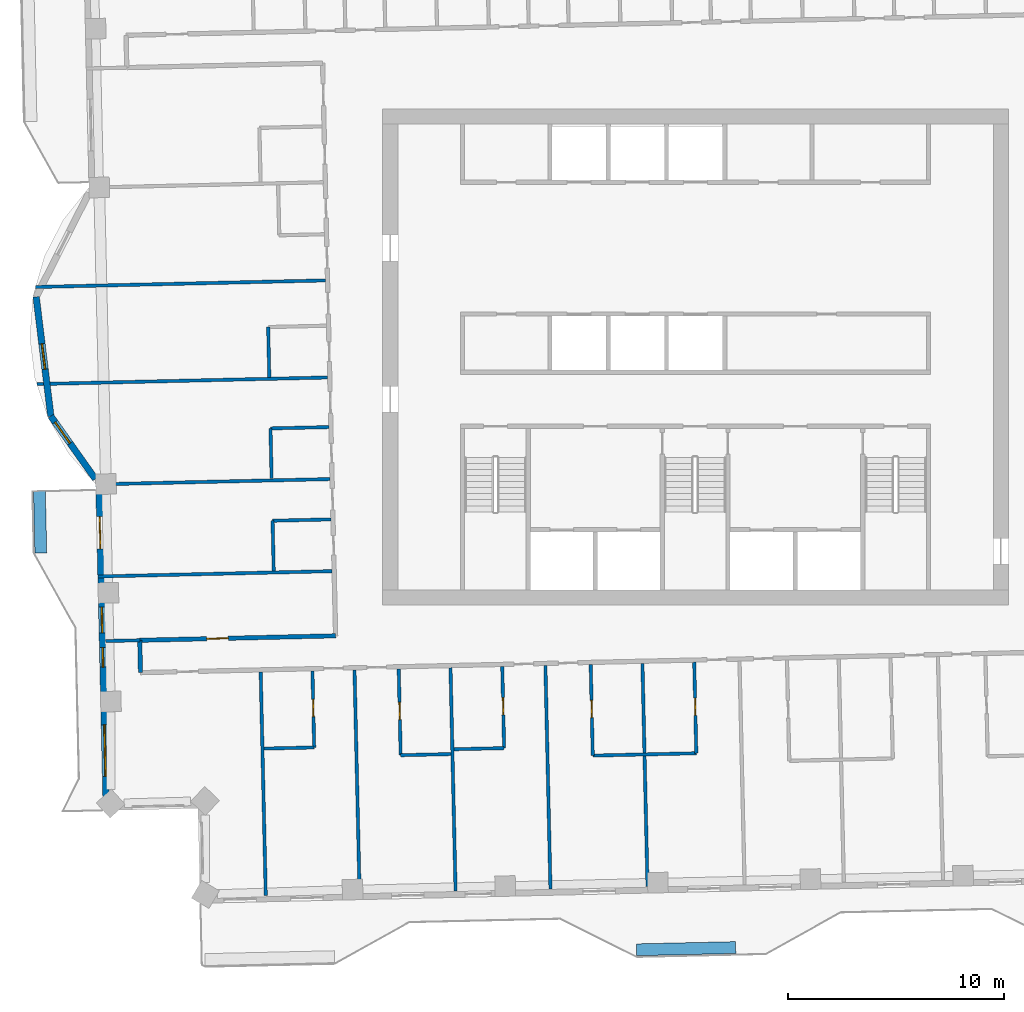
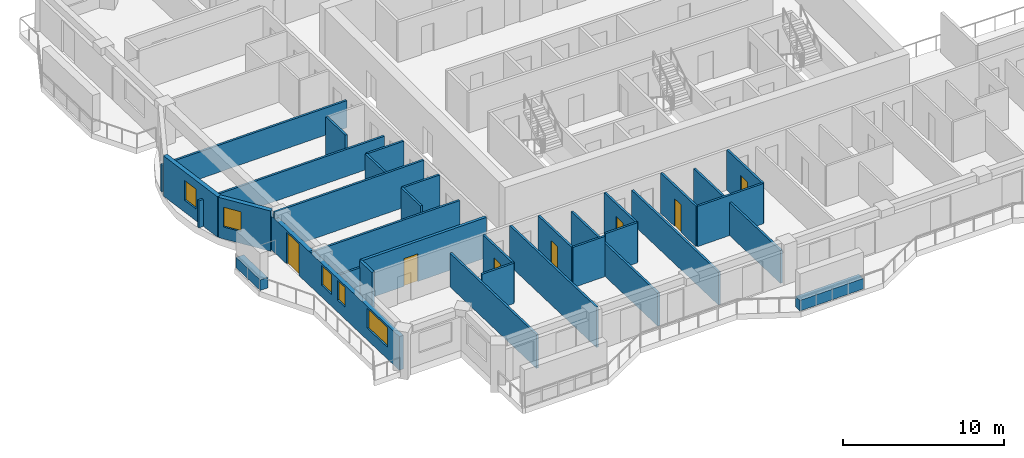
# One storey, part 8 of 19: 31 walls, 7 doors, 5 windows, 12 openings.
"""IFC4 building model written with IfcOpenShell, lengths in metres."""

from ifc_helpers import new_model, si_unit, direction, frame, frame_2d, origin, place, context, subcontext, project, spatial, rectangle, extrude, material, layer, layer_set, type_object, element, fill, save


model = new_model("IFC4")

# Units and contexts
model_context = context("Model", 3, precision=1e-05, world=origin(), true_north=direction((0.0, 1.0)))
body_context = subcontext(model_context, "Body", "Model", "MODEL_VIEW")
ifc_project = project(units=[si_unit("LENGTHUNIT", "METRE"), si_unit("AREAUNIT", "SQUARE_METRE"), si_unit("VOLUMEUNIT", "CUBIC_METRE"), si_unit("PLANEANGLEUNIT", "RADIAN"), si_unit("MASSUNIT", "GRAM", prefix="KILO")], contexts=[model_context])

# Site, building, storey
site_placement = place(None, origin())
site = spatial("IfcSite", under=ifc_project, at=site_placement, CompositionType="ELEMENT")
building_placement = place(site_placement, origin())
building = spatial("IfcBuilding", under=site, at=building_placement, Name="Mangrove Gate Tower", CompositionType="ELEMENT")
storey_placement = place(building_placement, frame((0.0, 0.0, 297.89990234375)))
storey = spatial("IfcBuildingStorey", under=building, at=storey_placement, Name="L76", CompositionType="ELEMENT", Elevation=297.89990234375)

# Wall
ifc_material_1 = material(Name="Gypsum board on steel stud, EI 60", Category="steel")
ifc_layer_1 = layer(ifc_material_1, 0.199951171875)
ifc_layer_set_1 = layer_set([ifc_layer_1], Name="Corridor wall EI 60")
wall_type_1 = type_object("IfcWallType", Name="Corridor wall EI 60", PredefinedType="PARTITIONING", material=ifc_layer_set_1)
wall_1_placement = place(storey_placement, frame((-25.72802734375, -14.6240234375, 0.0), z_axis=(0.0, 0.0, 1.0), x_axis=(-0.022632637625, 0.99974384905, 0.0)))
element("IfcWall", 1, at=wall_1_placement, inside=storey, type_object=wall_type_1, Name="WALL-L76-030", PredefinedType="PARTITIONING", context=body_context, shape_type="SweptSolid", body=[
    extrude(rectangle(XDim=1.49951171875, YDim=0.199951171875, at=frame_2d((0.749755859375, 0.0))), origin(), (0.0, 0.0, 1.0), 3.050048828125),
])

# Wall, opening, door
wall_2_placement = place(storey_placement, frame((-25.764892578125, -13.125, 0.0), z_axis=(0.0, 0.0, 1.0), x_axis=(0.999740502457, 0.022779985654, 0.0)))
wall_2 = element("IfcWall", 2, at=wall_2_placement, inside=storey, type_object=wall_type_1, Name="WALL-L76-033", PredefinedType="PARTITIONING", context=body_context, shape_type="SweptSolid", body=[
    extrude(rectangle(XDim=9.08837890625, YDim=0.199951171875, at=frame_2d((4.544189453125, 0.0))), origin(), (0.0, 0.0, 1.0), 3.050048828125),
])
opening_1_placement = place(wall_2_placement, frame((3.10693359375, 0.0, 0.0)))
opening_1 = element("IfcOpeningElement", 3, at=opening_1_placement, cuts=wall_2, Name="Opening AD", PredefinedType="OPENING", context=body_context, shape_type="SweptSolid", body=[
    extrude(rectangle(XDim=1.0, YDim=2.10009765625, at=frame_2d((0.5, 1.050048828125))), frame((0.0, 0.10986328125, 0.0), z_axis=(0.0, -1.0, 0.0), x_axis=(1.0, 0.0, 0.0)), (0.0, 0.0, 1.0), 0.219970703125),
])
ifc_material_2 = material(Name="Timber door leaf", Category="wood")
door_type_1 = type_object("IfcDoorType", Name="Amenity door 1000", OperationType="SINGLE_SWING_LEFT", PredefinedType="DOOR", material=ifc_material_2)
door_1_placement = place(opening_1_placement, origin())
door_1 = element("IfcDoor", 4, at=door_1_placement, inside=storey, type_object=door_type_1, Name="DOOR-L76-STU-c5b", OperationType="SINGLE_SWING_RIGHT", OverallHeight=2.10009765625, OverallWidth=1.0, PredefinedType="DOOR", context=body_context, shape_type="SweptSolid", body=[
    extrude(rectangle(XDim=1.0, YDim=2.10009765625, at=frame_2d((0.5, 1.050048828125))), frame((0.0, 0.02490234375, 0.0), z_axis=(0.0, -1.0, 0.0), x_axis=(1.0, 0.0, 0.0)), (0.0, 0.0, 1.0), 0.050048828125),
])
fill(opening_1, door_1)

# Wall, opening, window
ifc_material_3 = material(Name="Limestone", Category="masonry")
ifc_layer_2 = layer(ifc_material_3, 0.0400390625, Name="Limestone cladding")
ifc_material_4 = material(Name="Ventilated air gap")
ifc_layer_3 = layer(ifc_material_4, 0.0400390625, Name="Ventilated cavity")
ifc_material_5 = material(Name="Mineral wool insulation")
ifc_layer_4 = layer(ifc_material_5, 0.06005859375, Name="Insulation")
ifc_material_6 = material(Name="Breather membrane")
ifc_layer_5 = layer(ifc_material_6, 0.001953125, Name="Breather membrane")
ifc_material_7 = material(Name="Concrete C20/25 blockwork", Category="masonry")
ifc_layer_6 = layer(ifc_material_7, 0.14990234375, Name="Blockwork backing wall")
ifc_material_8 = material(Name="Gypsum plaster")
ifc_layer_7 = layer(ifc_material_8, 0.008056640625, Name="Internal plaster")
ifc_layer_set_2 = layer_set([ifc_layer_2, ifc_layer_3, ifc_layer_4, ifc_layer_5, ifc_layer_6, ifc_layer_7], Name="External wall 300 limestone cladding")
wall_type_2 = type_object("IfcWallType", Name="External wall 300 limestone cladding", PredefinedType="SOLIDWALL", material=ifc_layer_set_2)
wall_3_placement = place(storey_placement, frame((-30.56396484375, 2.7939453125, 0.0), z_axis=(0.0, 0.0, 1.0), x_axis=(0.122163831021, -0.992509948761, 0.0)))
wall_3 = element("IfcWall", 5, at=wall_3_placement, inside=storey, type_object=wall_type_2, Name="WALL-L76-W9f2", PredefinedType="SOLIDWALL", context=body_context, shape_type="SweptSolid", body=[
    extrude(rectangle(XDim=5.57373046875, YDim=0.300048828125, at=frame_2d((2.786865234375, 0.0))), origin(), (0.0, 0.0, 1.0), 3.050048828125),
])
opening_2_placement = place(wall_3_placement, frame((2.18701171875, 0.0, 0.89990234375)))
opening_2 = element("IfcOpeningElement", 6, at=opening_2_placement, cuts=wall_3, Name="Opening W1", PredefinedType="OPENING", context=body_context, shape_type="SweptSolid", body=[
    extrude(rectangle(XDim=1.199951171875, YDim=1.5, at=frame_2d((0.60009765625, 0.75))), frame((0.0, 0.159912109375, 0.0), z_axis=(0.0, -1.0, 0.0), x_axis=(1.0, 0.0, 0.0)), (0.0, 0.0, 1.0), 0.320068359375),
])
ifc_material_9 = material(Name="Aluminium frame with double-glazed low-e glass", Category="aluminium")
window_type_1 = type_object("IfcWindowType", Name="Side lite 1200x1500", PartitioningType="SINGLE_PANEL", PredefinedType="WINDOW", material=ifc_material_9)
window_1_placement = place(opening_2_placement, origin())
window_1 = element("IfcWindow", 7, at=window_1_placement, inside=storey, type_object=window_type_1, Name="WIN-L76-W9f2", OverallHeight=1.5, OverallWidth=1.199951171875, PartitioningType="SINGLE_PANEL", PredefinedType="WINDOW", context=body_context, shape_type="SweptSolid", body=[
    extrude(rectangle(XDim=1.199951171875, YDim=1.5, at=frame_2d((0.60009765625, 0.75))), frame((0.0, 0.030029296875, 0.0), z_axis=(0.0, -1.0, 0.0), x_axis=(1.0, 0.0, 0.0)), (0.0, 0.0, 1.0), 0.06005859375),
])
fill(opening_2, window_1)

wall_4_placement = place(storey_placement, frame((-29.883056640625, -2.738037109375, 0.0), z_axis=(0.0, 0.0, 1.0), x_axis=(0.578095163598, -0.815969351033, 0.0)))
wall_4 = element("IfcWall", 8, at=wall_4_placement, inside=storey, type_object=wall_type_2, Name="WALL-L76-W9f3", PredefinedType="SOLIDWALL", context=body_context, shape_type="SweptSolid", body=[
    extrude(rectangle(XDim=3.568603515625, YDim=0.300048828125, at=frame_2d((1.7841796875, 0.0))), origin(), (0.0, 0.0, 1.0), 3.050048828125),
])
opening_3_placement = place(wall_4_placement, frame((0.337890625, 0.0, 0.89990234375)))
opening_3 = element("IfcOpeningElement", 9, at=opening_3_placement, cuts=wall_4, Name="Opening W1", PredefinedType="OPENING", context=body_context, shape_type="SweptSolid", body=[
    extrude(rectangle(XDim=1.199951171875, YDim=1.5, at=frame_2d((0.60009765625, 0.75))), frame((0.0, 0.159912109375, 0.0), z_axis=(0.0, -1.0, 0.0), x_axis=(1.0, 0.0, 0.0)), (0.0, 0.0, 1.0), 0.320068359375),
])
window_2_placement = place(opening_3_placement, origin())
window_2 = element("IfcWindow", 10, at=window_2_placement, inside=storey, type_object=window_type_1, Name="WIN-L76-W9f3", OverallHeight=1.5, OverallWidth=1.199951171875, PartitioningType="SINGLE_PANEL", PredefinedType="WINDOW", context=body_context, shape_type="SweptSolid", body=[
    extrude(rectangle(XDim=1.199951171875, YDim=1.5, at=frame_2d((0.60009765625, 0.75))), frame((0.0, 0.030029296875, 0.0), z_axis=(0.0, -1.0, 0.0), x_axis=(1.0, 0.0, 0.0)), (0.0, 0.0, 1.0), 0.06005859375),
])
fill(opening_3, window_2)

# Wall, openings, door, windows
wall_5_placement = place(storey_placement, frame((-27.6650390625, -5.416015625, 0.0), z_axis=(0.0, 0.0, 1.0), x_axis=(0.022660024814, -0.999743228672, 0.0)))
wall_5 = element("IfcWall", 11, at=wall_5_placement, inside=storey, type_object=wall_type_2, Name="WALL-L76-W10s1", PredefinedType="SOLIDWALL", context=body_context, shape_type="SweptSolid", body=[
    extrude(rectangle(XDim=15.449951171875, YDim=0.300048828125, at=frame_2d((7.72509765625, 0.0))), origin(), (0.0, 0.0, 1.0), 2.550048828125),
])
opening_4_placement = place(wall_5_placement, frame((1.97509765625, 0.0, 0.0)))
opening_4 = element("IfcOpeningElement", 12, at=opening_4_placement, cuts=wall_5, Name="Opening BD1", PredefinedType="OPENING", context=body_context, shape_type="SweptSolid", body=[
    extrude(rectangle(XDim=1.5, YDim=2.39990234375, at=frame_2d((0.75, 1.199951171875))), frame((0.0, 0.159912109375, 0.0), z_axis=(0.0, -1.0, 0.0), x_axis=(1.0, 0.0, 0.0)), (0.0, 0.0, 1.0), 0.320068359375),
])
opening_5_placement = place(wall_5_placement, frame((6.1708984375, 0.0, 0.89990234375)))
opening_5 = element("IfcOpeningElement", 13, at=opening_5_placement, cuts=wall_5, Name="Opening W1", PredefinedType="OPENING", context=body_context, shape_type="SweptSolid", body=[
    extrude(rectangle(XDim=1.199951171875, YDim=1.5, at=frame_2d((0.60009765625, 0.75))), frame((0.0, 0.159912109375, 0.0), z_axis=(0.0, -1.0, 0.0), x_axis=(1.0, 0.0, 0.0)), (0.0, 0.0, 1.0), 0.320068359375),
])
opening_6_placement = place(wall_5_placement, frame((8.050048828125, 0.0, 0.89990234375)))
opening_6 = element("IfcOpeningElement", 14, at=opening_6_placement, cuts=wall_5, Name="Opening W5", PredefinedType="OPENING", context=body_context, shape_type="SweptSolid", body=[
    extrude(rectangle(XDim=0.89990234375, YDim=1.5, at=frame_2d((0.449951171875, 0.75))), frame((0.0, 0.159912109375, 0.0), z_axis=(0.0, -1.0, 0.0), x_axis=(1.0, 0.0, 0.0)), (0.0, 0.0, 1.0), 0.320068359375),
])
opening_7_placement = place(wall_5_placement, frame((11.625, 0.0, 0.89990234375)))
opening_7 = element("IfcOpeningElement", 15, at=opening_7_placement, cuts=wall_5, Name="Opening W2", PredefinedType="OPENING", context=body_context, shape_type="SweptSolid", body=[
    extrude(rectangle(XDim=2.39990234375, YDim=1.5, at=frame_2d((1.199951171875, 0.75))), frame((0.0, 0.159912109375, 0.0), z_axis=(0.0, -1.0, 0.0), x_axis=(1.0, 0.0, 0.0)), (0.0, 0.0, 1.0), 0.320068359375),
])
ifc_material_10 = material(Name="Aluminium frame with laminated clear glass", Category="aluminium")
door_type_2 = type_object("IfcDoorType", Name="Balcony sliding door 1500x2400", OperationType="SLIDING_TO_LEFT", PredefinedType="DOOR", material=ifc_material_10)
door_2_placement = place(opening_4_placement, origin())
door_2 = element("IfcDoor", 16, at=door_2_placement, inside=storey, type_object=door_type_2, Name="DOOR-L76-W10-1", OperationType="SLIDING_TO_LEFT", OverallHeight=2.39990234375, OverallWidth=1.5, PredefinedType="DOOR", context=body_context, shape_type="SweptSolid", body=[
    extrude(rectangle(XDim=1.5, YDim=2.39990234375, at=frame_2d((0.75, 1.199951171875))), frame((0.0, 0.02490234375, 0.0), z_axis=(0.0, -1.0, 0.0), x_axis=(1.0, 0.0, 0.0)), (0.0, 0.0, 1.0), 0.050048828125),
])
fill(opening_4, door_2)
ifc_material_11 = material(Name="Aluminium frame with double-glazed low-e glass", Category="aluminium")
window_type_2 = type_object("IfcWindowType", Name="Corner room window 2400x1500", PartitioningType="DOUBLE_PANEL_VERTICAL", PredefinedType="WINDOW", material=ifc_material_11)
window_3_placement = place(opening_7_placement, origin())
window_3 = element("IfcWindow", 17, at=window_3_placement, inside=storey, type_object=window_type_2, Name="WIN-L76-W10-4", OverallHeight=1.5, OverallWidth=2.39990234375, PartitioningType="DOUBLE_PANEL_VERTICAL", PredefinedType="WINDOW", context=body_context, shape_type="SweptSolid", body=[
    extrude(rectangle(XDim=2.39990234375, YDim=1.5, at=frame_2d((1.199951171875, 0.75))), frame((0.0, 0.030029296875, 0.0), z_axis=(0.0, -1.0, 0.0), x_axis=(1.0, 0.0, 0.0)), (0.0, 0.0, 1.0), 0.06005859375),
])
fill(opening_7, window_3)
ifc_material_12 = material(Name="Aluminium frame with double-glazed low-e glass", Category="aluminium")
window_type_3 = type_object("IfcWindowType", Name="Narrow window 900x1500", PartitioningType="SINGLE_PANEL", PredefinedType="WINDOW", material=ifc_material_12)
window_4_placement = place(opening_6_placement, origin())
window_4 = element("IfcWindow", 18, at=window_4_placement, inside=storey, type_object=window_type_3, Name="WIN-L76-W10-3", OverallHeight=1.5, OverallWidth=0.89990234375, PartitioningType="SINGLE_PANEL", PredefinedType="WINDOW", context=body_context, shape_type="SweptSolid", body=[
    extrude(rectangle(XDim=0.89990234375, YDim=1.5, at=frame_2d((0.449951171875, 0.75))), frame((0.0, 0.030029296875, 0.0), z_axis=(0.0, -1.0, 0.0), x_axis=(1.0, 0.0, 0.0)), (0.0, 0.0, 1.0), 0.06005859375),
])
fill(opening_6, window_4)
window_5_placement = place(opening_5_placement, origin())
window_5 = element("IfcWindow", 19, at=window_5_placement, inside=storey, type_object=window_type_1, Name="WIN-L76-W10-2", OverallHeight=1.5, OverallWidth=1.199951171875, PartitioningType="SINGLE_PANEL", PredefinedType="WINDOW", context=body_context, shape_type="SweptSolid", body=[
    extrude(rectangle(XDim=1.199951171875, YDim=1.5, at=frame_2d((0.60009765625, 0.75))), frame((0.0, 0.030029296875, 0.0), z_axis=(0.0, -1.0, 0.0), x_axis=(1.0, 0.0, 0.0)), (0.0, 0.0, 1.0), 0.06005859375),
])
fill(opening_5, window_5)

# Walls
ifc_material_13 = material(Name="Gypsum board on steel stud, EI 60", Category="steel")
ifc_layer_8 = layer(ifc_material_13, 0.14990234375)
ifc_layer_set_3 = layer_set([ifc_layer_8], Name="Party wall 150 EI 60")
wall_type_3 = type_object("IfcWallType", Name="Party wall 150 EI 60", PredefinedType="PARTITIONING", material=ifc_layer_set_3)
wall_6_placement = place(storey_placement, frame((-19.922119140625, -24.945068359375, 0.0), z_axis=(0.0, 0.0, 1.0), x_axis=(-0.022692470342, 0.99974249274, 0.0)))
element("IfcWall", 20, at=wall_6_placement, inside=storey, type_object=wall_type_3, Name="WALL-L76-001", PredefinedType="PARTITIONING", context=body_context, shape_type="SweptSolid", body=[
    extrude(rectangle(XDim=10.349853515625, YDim=0.14990234375, at=frame_2d((5.1748046875, 0.0))), origin(), (0.0, 0.0, 1.0), 2.550048828125),
])
wall_7_placement = place(storey_placement, frame((-15.572998046875, -24.846923828125, 0.0), z_axis=(0.0, 0.0, 1.0), x_axis=(-0.022714440015, 0.999741993824, 0.0)))
element("IfcWall", 21, at=wall_7_placement, inside=storey, type_object=wall_type_3, Name="WALL-L76-002", PredefinedType="PARTITIONING", context=body_context, shape_type="SweptSolid", body=[
    extrude(rectangle(XDim=10.3505859375, YDim=0.14990234375, at=frame_2d((5.17529296875, 0.0))), origin(), (0.0, 0.0, 1.0), 3.050048828125),
])
wall_8_placement = place(storey_placement, frame((-11.1240234375, -24.74609375, 0.0), z_axis=(0.0, 0.0, 1.0), x_axis=(-0.022690329938, 0.999742541321, 0.0)))
element("IfcWall", 22, at=wall_8_placement, inside=storey, type_object=wall_type_3, Name="WALL-L76-003", PredefinedType="PARTITIONING", context=body_context, shape_type="SweptSolid", body=[
    extrude(rectangle(XDim=10.350830078125, YDim=0.14990234375, at=frame_2d((5.17529296875, 0.0))), origin(), (0.0, 0.0, 1.0), 2.5),
])
for number, where, z_axis, x_axis, name in (
    (23, (-6.72607421875, -24.64599609375, 0.0), (0.0, 0.0, 1.0), (-0.022596564565, 0.999744665037, 0.0), "WALL-L76-004"),
    (24, (-2.22705078125, -24.5439453125, 0.0), (0.0, 0.0, 1.0), (-0.022690865001, 0.999742529177, 0.0), "WALL-L76-005"),
):
    element("IfcWall", number, at=place(storey_placement, frame(where, z_axis=z_axis, x_axis=x_axis)), inside=storey, type_object=wall_type_3, Name=name, PredefinedType="PARTITIONING", context=body_context, shape_type="SweptSolid", body=[
        extrude(rectangle(XDim=10.3505859375, YDim=0.14990234375, at=frame_2d((5.17529296875, 0.0))), origin(), (0.0, 0.0, 1.0), 2.5),
    ])

# Wall, opening, door
wall_9_placement = place(storey_placement, frame((-4.764892578125, -18.469970703125, 0.0), z_axis=(0.0, 0.0, 1.0), x_axis=(-0.022793682944, 0.999740190258, 0.0)))
wall_9 = element("IfcWall", 25, at=wall_9_placement, inside=storey, type_object=wall_type_3, Name="WALL-L76-016", PredefinedType="PARTITIONING", context=body_context, shape_type="SweptSolid", body=[
    extrude(rectangle(XDim=4.219970703125, YDim=0.14990234375, at=frame_2d((2.10986328125, 0.0))), origin(), (0.0, 0.0, 1.0), 3.050048828125),
])
opening_8_placement = place(wall_9_placement, frame((1.760009765625, 0.0, 0.0)))
opening_8 = element("IfcOpeningElement", 26, at=opening_8_placement, cuts=wall_9, Name="Opening ED", PredefinedType="OPENING", context=body_context, shape_type="SweptSolid", body=[
    extrude(rectangle(XDim=0.800048828125, YDim=2.10009765625, at=frame_2d((0.39990234375, 1.050048828125))), frame((0.0, 0.0849609375, 0.0), z_axis=(0.0, -1.0, 0.0), x_axis=(1.0, 0.0, 0.0)), (0.0, 0.0, 1.0), 0.169921875),
])
ifc_material_14 = material(Name="Timber door leaf", Category="wood")
door_type_3 = type_object("IfcDoorType", Name="En-suite door 800", OperationType="SINGLE_SWING_LEFT", PredefinedType="DOOR", material=ifc_material_14)
door_3_placement = place(opening_8_placement, origin())
door_3 = element("IfcDoor", 27, at=door_3_placement, inside=storey, type_object=door_type_3, Name="DOOR-L76-ENS-c104", OperationType="SINGLE_SWING_RIGHT", OverallHeight=2.10009765625, OverallWidth=0.800048828125, PredefinedType="DOOR", context=body_context, shape_type="SweptSolid", body=[
    extrude(rectangle(XDim=0.800048828125, YDim=2.10009765625, at=frame_2d((0.39990234375, 1.050048828125))), frame((0.0, 0.02490234375, 0.0), z_axis=(0.0, -1.0, 0.0), x_axis=(1.0, 0.0, 0.0)), (0.0, 0.0, 1.0), 0.050048828125),
])
fill(opening_8, door_3)

# Wall
wall_10_placement = place(storey_placement, frame((-4.762939453125, -18.469970703125, 0.0), z_axis=(0.0, 0.0, 1.0), x_axis=(0.999742675121, 0.022684433919, 0.0)))
element("IfcWall", 28, at=wall_10_placement, inside=storey, type_object=wall_type_3, Name="WALL-L76-017", PredefinedType="PARTITIONING", context=body_context, shape_type="SweptSolid", body=[
    extrude(rectangle(XDim=4.800048828125, YDim=0.14990234375, at=frame_2d((2.39990234375, 0.0))), origin(), (0.0, 0.0, 1.0), 3.050048828125),
])

# Wall, opening, door
wall_11_placement = place(storey_placement, frame((0.033935546875, -18.361083984375, 0.0), z_axis=(0.0, 0.0, 1.0), x_axis=(-0.0227358609, 0.999741506905, 0.0)))
wall_11 = element("IfcWall", 29, at=wall_11_placement, inside=storey, type_object=wall_type_3, Name="WALL-L76-018", PredefinedType="PARTITIONING", context=body_context, shape_type="SweptSolid", body=[
    extrude(rectangle(XDim=4.219970703125, YDim=0.14990234375, at=frame_2d((2.10986328125, 0.0))), origin(), (0.0, 0.0, 1.0), 3.050048828125),
])
opening_9_placement = place(wall_11_placement, frame((1.760009765625, 0.0, 0.0)))
opening_9 = element("IfcOpeningElement", 30, at=opening_9_placement, cuts=wall_11, Name="Opening ED", PredefinedType="OPENING", context=body_context, shape_type="SweptSolid", body=[
    extrude(rectangle(XDim=0.800048828125, YDim=2.10009765625, at=frame_2d((0.39990234375, 1.050048828125))), frame((0.0, 0.0849609375, 0.0), z_axis=(0.0, -1.0, 0.0), x_axis=(1.0, 0.0, 0.0)), (0.0, 0.0, 1.0), 0.169921875),
])
door_4_placement = place(opening_9_placement, origin())
door_4 = element("IfcDoor", 31, at=door_4_placement, inside=storey, type_object=door_type_3, Name="DOOR-L76-ENS-c205", OperationType="SINGLE_SWING_LEFT", OverallHeight=2.10009765625, OverallWidth=0.800048828125, PredefinedType="DOOR", context=body_context, shape_type="SweptSolid", body=[
    extrude(rectangle(XDim=0.800048828125, YDim=2.10009765625, at=frame_2d((0.39990234375, 1.050048828125))), frame((0.0, 0.02490234375, 0.0), z_axis=(0.0, -1.0, 0.0), x_axis=(1.0, 0.0, 0.0)), (0.0, 0.0, 1.0), 0.050048828125),
])
fill(opening_9, door_4)

wall_12_placement = place(storey_placement, frame((-13.66796875, -18.451904296875, 0.0), z_axis=(0.0, 0.0, 1.0), x_axis=(-0.022765770952, 0.999740826251, 0.0)))
wall_12 = element("IfcWall", 32, at=wall_12_placement, inside=storey, type_object=wall_type_3, Name="WALL-L76-019", PredefinedType="PARTITIONING", context=body_context, shape_type="SweptSolid", body=[
    extrude(rectangle(XDim=4.0, YDim=0.14990234375, at=frame_2d((2.0, 0.0))), origin(), (0.0, 0.0, 1.0), 3.050048828125),
])
opening_10_placement = place(wall_12_placement, frame((1.64990234375, 0.0, 0.0)))
opening_10 = element("IfcOpeningElement", 33, at=opening_10_placement, cuts=wall_12, Name="Opening ED", PredefinedType="OPENING", context=body_context, shape_type="SweptSolid", body=[
    extrude(rectangle(XDim=0.800048828125, YDim=2.10009765625, at=frame_2d((0.39990234375, 1.050048828125))), frame((0.0, 0.0849609375, 0.0), z_axis=(0.0, -1.0, 0.0), x_axis=(1.0, 0.0, 0.0)), (0.0, 0.0, 1.0), 0.169921875),
])
door_5_placement = place(opening_10_placement, origin())
door_5 = element("IfcDoor", 34, at=door_5_placement, inside=storey, type_object=door_type_3, Name="DOOR-L76-ENS-c102", OperationType="SINGLE_SWING_RIGHT", OverallHeight=2.10009765625, OverallWidth=0.800048828125, PredefinedType="DOOR", context=body_context, shape_type="SweptSolid", body=[
    extrude(rectangle(XDim=0.800048828125, YDim=2.10009765625, at=frame_2d((0.39990234375, 1.050048828125))), frame((0.0, 0.02490234375, 0.0), z_axis=(0.0, -1.0, 0.0), x_axis=(1.0, 0.0, 0.0)), (0.0, 0.0, 1.0), 0.050048828125),
])
fill(opening_10, door_5)

# Walls
for number, where, z_axis, x_axis, name in (
    (35, (-13.666015625, -18.451904296875, 0.0), (0.0, 0.0, 1.0), (0.999740478815, 0.022781023197, 0.0), "WALL-L76-020"),
    (36, (-11.197021484375, -18.175048828125, 0.0), (0.0, 0.0, 1.0), (0.999749954681, 0.022361308448, 0.0), "WALL-L76-021"),
):
    element("IfcWall", number, at=place(storey_placement, frame(where, z_axis=z_axis, x_axis=x_axis)), inside=storey, type_object=wall_type_3, Name=name, PredefinedType="PARTITIONING", context=body_context, shape_type="SweptSolid", body=[
        extrude(rectangle(XDim=2.325439453125, YDim=0.14990234375, at=frame_2d((1.16259765625, 0.0))), origin(), (0.0, 0.0, 1.0), 3.050048828125),
    ])

# Wall, opening, door
wall_13_placement = place(storey_placement, frame((-8.8740234375, -18.123046875, 0.0), z_axis=(0.0, 0.0, 1.0), x_axis=(-0.0227346095, 0.999741535363, 0.0)))
wall_13 = element("IfcWall", 37, at=wall_13_placement, inside=storey, type_object=wall_type_3, Name="WALL-L76-022", PredefinedType="PARTITIONING", context=body_context, shape_type="SweptSolid", body=[
    extrude(rectangle(XDim=3.780029296875, YDim=0.14990234375, at=frame_2d((1.89013671875, 0.0))), origin(), (0.0, 0.0, 1.0), 3.050048828125),
])
opening_11_placement = place(wall_13_placement, frame((1.5400390625, 0.0, 0.0)))
opening_11 = element("IfcOpeningElement", 38, at=opening_11_placement, cuts=wall_13, Name="Opening ED", PredefinedType="OPENING", context=body_context, shape_type="SweptSolid", body=[
    extrude(rectangle(XDim=0.800048828125, YDim=2.10009765625, at=frame_2d((0.39990234375, 1.050048828125))), frame((0.0, 0.0849609375, 0.0), z_axis=(0.0, -1.0, 0.0), x_axis=(1.0, 0.0, 0.0)), (0.0, 0.0, 1.0), 0.169921875),
])
door_6_placement = place(opening_11_placement, origin())
door_6 = element("IfcDoor", 39, at=door_6_placement, inside=storey, type_object=door_type_3, Name="DOOR-L76-ENS-c103", OperationType="SINGLE_SWING_LEFT", OverallHeight=2.10009765625, OverallWidth=0.800048828125, PredefinedType="DOOR", context=body_context, shape_type="SweptSolid", body=[
    extrude(rectangle(XDim=0.800048828125, YDim=2.10009765625, at=frame_2d((0.39990234375, 1.050048828125))), frame((0.0, 0.02490234375, 0.0), z_axis=(0.0, -1.0, 0.0), x_axis=(1.0, 0.0, 0.0)), (0.0, 0.0, 1.0), 0.050048828125),
])
fill(opening_11, door_6)

# Wall
wall_14_placement = place(storey_placement, frame((-19.9990234375, -18.14501953125, 0.0), z_axis=(0.0, 0.0, 1.0), x_axis=(0.999740260747, 0.02279059109, 0.0)))
element("IfcWall", 40, at=wall_14_placement, inside=storey, type_object=wall_type_3, Name="WALL-L76-023", PredefinedType="PARTITIONING", context=body_context, shape_type="SweptSolid", body=[
    extrude(rectangle(XDim=2.324462890625, YDim=0.14990234375, at=frame_2d((1.162109375, 0.0))), origin(), (0.0, 0.0, 1.0), 3.050048828125),
])

# Wall, opening, door
wall_15_placement = place(storey_placement, frame((-17.677001953125, -18.092041015625, 0.0), z_axis=(0.0, 0.0, 1.0), x_axis=(-0.022832321005, 0.999739308579, 0.0)))
wall_15 = element("IfcWall", 41, at=wall_15_placement, inside=storey, type_object=wall_type_3, Name="WALL-L76-024", PredefinedType="PARTITIONING", context=body_context, shape_type="SweptSolid", body=[
    extrude(rectangle(XDim=3.550048828125, YDim=0.14990234375, at=frame_2d((1.77490234375, 0.0))), origin(), (0.0, 0.0, 1.0), 3.050048828125),
])
opening_12_placement = place(wall_15_placement, frame((1.425048828125, 0.0, 0.0)))
opening_12 = element("IfcOpeningElement", 42, at=opening_12_placement, cuts=wall_15, Name="Opening ED", PredefinedType="OPENING", context=body_context, shape_type="SweptSolid", body=[
    extrude(rectangle(XDim=0.800048828125, YDim=2.10009765625, at=frame_2d((0.39990234375, 1.050048828125))), frame((0.0, 0.0849609375, 0.0), z_axis=(0.0, -1.0, 0.0), x_axis=(1.0, 0.0, 0.0)), (0.0, 0.0, 1.0), 0.169921875),
])
door_7_placement = place(opening_12_placement, origin())
door_7 = element("IfcDoor", 43, at=door_7_placement, inside=storey, type_object=door_type_3, Name="DOOR-L76-ENS-c101", OperationType="SINGLE_SWING_LEFT", OverallHeight=2.10009765625, OverallWidth=0.800048828125, PredefinedType="DOOR", context=body_context, shape_type="SweptSolid", body=[
    extrude(rectangle(XDim=0.800048828125, YDim=2.10009765625, at=frame_2d((0.39990234375, 1.050048828125))), frame((0.0, 0.02490234375, 0.0), z_axis=(0.0, -1.0, 0.0), x_axis=(1.0, 0.0, 0.0)), (0.0, 0.0, 1.0), 0.050048828125),
])
fill(opening_12, door_7)

# Walls
wall_16_placement = place(storey_placement, frame((-27.339111328125, -13.159912109375, 0.0), z_axis=(0.0, 0.0, 1.0), x_axis=(0.999755386732, 0.022117113289, 0.0)))
element("IfcWall", 44, at=wall_16_placement, inside=storey, type_object=wall_type_3, Name="WALL-L76-032", PredefinedType="PARTITIONING", context=body_context, shape_type="SweptSolid", body=[
    extrude(rectangle(XDim=1.57861328125, YDim=0.14990234375, at=frame_2d((0.789306640625, 0.0))), origin(), (0.0, 0.0, 1.0), 2.550048828125),
])
wall_17_placement = place(storey_placement, frame((-27.70703125, -10.16796875, 0.0), z_axis=(0.0, 0.0, 1.0), x_axis=(0.999741313154, 0.022744378952, 0.0)))
element("IfcWall", 45, at=wall_17_placement, inside=storey, type_object=wall_type_3, Name="WALL-L76-038", PredefinedType="PARTITIONING", context=body_context, shape_type="SweptSolid", body=[
    extrude(rectangle(XDim=10.863037109375, YDim=0.14990234375, at=frame_2d((5.431640625, 0.0))), origin(), (0.0, 0.0, 1.0), 2.550048828125),
])
wall_18_placement = place(storey_placement, frame((-19.552978515625, -9.907958984375, 0.0), z_axis=(0.0, 0.0, 1.0), x_axis=(-0.022781023197, 0.999740478815, 0.0)))
element("IfcWall", 46, at=wall_18_placement, inside=storey, type_object=wall_type_3, Name="WALL-L76-039", PredefinedType="PARTITIONING", context=body_context, shape_type="SweptSolid", body=[
    extrude(rectangle(XDim=2.325439453125, YDim=0.14990234375, at=frame_2d((1.16259765625, 0.0))), origin(), (0.0, 0.0, 1.0), 3.050048828125),
])
wall_19_placement = place(storey_placement, frame((-19.60107421875, -7.5830078125, 0.0), z_axis=(0.0, 0.0, 1.0), x_axis=(0.999744396973, 0.02260842146, 0.0)))
element("IfcWall", 47, at=wall_19_placement, inside=storey, type_object=wall_type_3, Name="WALL-L76-040", PredefinedType="PARTITIONING", context=body_context, shape_type="SweptSolid", body=[
    extrude(rectangle(XDim=2.69970703125, YDim=0.14990234375, at=frame_2d((1.349853515625, 0.0))), origin(), (0.0, 0.0, 1.0), 3.050048828125),
])
wall_20_placement = place(storey_placement, frame((-27.803955078125, -5.89892578125, 0.0), z_axis=(0.0, 0.0, 1.0), x_axis=(0.999743850541, 0.02263257177, 0.0)))
element("IfcWall", 48, at=wall_20_placement, inside=storey, type_object=wall_type_3, Name="WALL-L76-041", PredefinedType="PARTITIONING", context=body_context, shape_type="SweptSolid", body=[
    extrude(rectangle(XDim=10.862548828125, YDim=0.14990234375, at=frame_2d((5.43115234375, 0.0))), origin(), (0.0, 0.0, 1.0), 3.050048828125),
])
wall_21_placement = place(storey_placement, frame((-19.64990234375, -5.634033203125, 0.0), z_axis=(0.0, 0.0, 1.0), x_axis=(-0.02279059109, 0.999740260747, 0.0)))
element("IfcWall", 49, at=wall_21_placement, inside=storey, type_object=wall_type_3, Name="WALL-L76-042", PredefinedType="PARTITIONING", context=body_context, shape_type="SweptSolid", body=[
    extrude(rectangle(XDim=2.324462890625, YDim=0.14990234375, at=frame_2d((1.162109375, 0.0))), origin(), (0.0, 0.0, 1.0), 3.050048828125),
])
wall_22_placement = place(storey_placement, frame((-19.697998046875, -3.303955078125, 0.0), z_axis=(0.0, 0.0, 1.0), x_axis=(0.999744396973, 0.02260842146, 0.0)))
element("IfcWall", 50, at=wall_22_placement, inside=storey, type_object=wall_type_3, Name="WALL-L76-043", PredefinedType="PARTITIONING", context=body_context, shape_type="SweptSolid", body=[
    extrude(rectangle(XDim=2.69970703125, YDim=0.14990234375, at=frame_2d((1.349853515625, 0.0))), origin(), (0.0, 0.0, 1.0), 3.050048828125),
])
wall_23_placement = place(storey_placement, frame((-19.757080078125, -0.93505859375, 0.0), z_axis=(0.0, 0.0, 1.0), x_axis=(-0.02279059109, 0.999740260747, 0.0)))
element("IfcWall", 51, at=wall_23_placement, inside=storey, type_object=wall_type_3, Name="WALL-L76-044", PredefinedType="PARTITIONING", context=body_context, shape_type="SweptSolid", body=[
    extrude(rectangle(XDim=2.324462890625, YDim=0.14990234375, at=frame_2d((1.162109375, 0.0))), origin(), (0.0, 0.0, 1.0), 3.050048828125),
])
wall_24_placement = place(storey_placement, frame((-30.534912109375, -1.25, 0.0), z_axis=(0.0, 0.0, 1.0), x_axis=(0.999742750552, 0.022681109296, 0.0)))
element("IfcWall", 52, at=wall_24_placement, inside=storey, type_object=wall_type_3, Name="WALL-L76-045", PredefinedType="PARTITIONING", context=body_context, shape_type="SweptSolid", body=[
    extrude(rectangle(XDim=13.4873046875, YDim=0.14990234375, at=frame_2d((6.74365234375, 0.0))), origin(), (0.0, 0.0, 1.0), 2.050048828125),
])
wall_25_placement = place(storey_placement, frame((-30.592041015625, 3.25, 0.0), z_axis=(0.0, 0.0, 1.0), x_axis=(0.999742678725, 0.022684275074, 0.0)))
element("IfcWall", 53, at=wall_25_placement, inside=storey, type_object=wall_type_3, Name="WALL-L76-047", PredefinedType="PARTITIONING", context=body_context, shape_type="SweptSolid", body=[
    extrude(rectangle(XDim=13.4423828125, YDim=0.14990234375, at=frame_2d((6.72119140625, 0.0))), origin(), (0.0, 0.0, 1.0), 2.050048828125),
])
ifc_material_15 = material(Name="Concrete C32/40", Category="concrete")
ifc_layer_9 = layer(ifc_material_15, 0.199951171875, Name="Planter trough wall")
ifc_material_16 = material(Name="Bituminous waterproofing membrane")
ifc_layer_10 = layer(ifc_material_16, 0.0048828125, Name="Waterproofing")
ifc_material_17 = material(Name="Drainage board and gravel")
ifc_layer_11 = layer(ifc_material_17, 0.044921875, Name="Drainage layer")
ifc_material_18 = material(Name="Planting soil")
ifc_layer_12 = layer(ifc_material_18, 0.300048828125, Name="Growing medium")
ifc_layer_set_4 = layer_set([ifc_layer_9, ifc_layer_10, ifc_layer_11, ifc_layer_12], Name="Planter wall 550 C32/40")
wall_type_4 = type_object("IfcWallType", Name="Planter wall 550 C32/40", PredefinedType="USERDEFINED", material=ifc_layer_set_4)
wall_26_placement = place(storey_placement, frame((-30.347900390625, -9.077880859375, 0.0), z_axis=(0.0, 0.0, 1.0), x_axis=(-0.022677031611, 0.999742843054, 0.0)))
element("IfcWall", 54, at=wall_26_placement, inside=storey, type_object=wall_type_4, Name="PLANTER L76 W1.1", ObjectType="PLANTER", PredefinedType="USERDEFINED", context=body_context, shape_type="SweptSolid", body=[
    extrude(rectangle(XDim=2.87451171875, YDim=0.550048828125, at=frame_2d((1.437255859375, 0.0))), origin(), (0.0, 0.0, 1.0), 0.800048828125),
])
wall_27_placement = place(storey_placement, frame((-2.739990234375, -27.470947265625, 0.0), z_axis=(0.0, 0.0, 1.0), x_axis=(0.999744377441, 0.022609285172, 0.0)))
element("IfcWall", 55, at=wall_27_placement, inside=storey, type_object=wall_type_4, Name="PLANTER L76 S0.2", ObjectType="PLANTER", PredefinedType="USERDEFINED", context=body_context, shape_type="SweptSolid", body=[
    extrude(rectangle(XDim=4.60009765625, YDim=0.550048828125, at=frame_2d((2.300048828125, 0.0))), origin(), (0.0, 0.0, 1.0), 0.800048828125),
])

save(model, "model.ifc")
